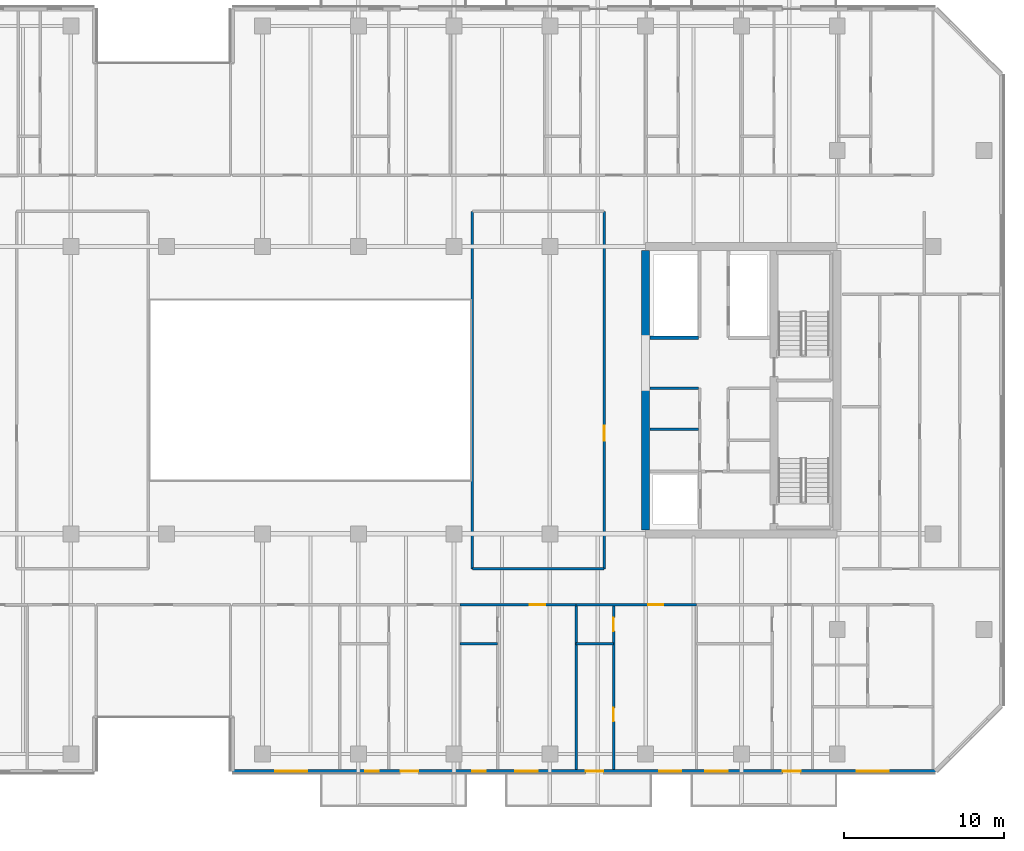
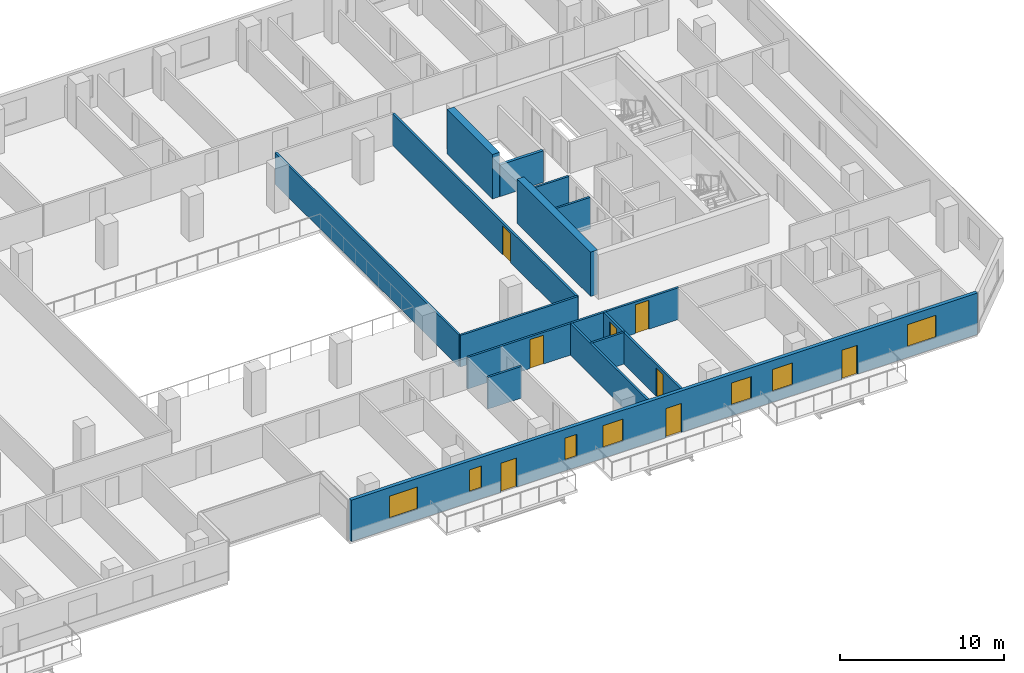
# One storey, part 12 of 23: 15 walls, 8 doors, 7 windows, 15 openings.
"""IFC4 building model written with IfcOpenShell, lengths in metres."""

from ifc_helpers import new_model, si_unit, direction, frame, frame_2d, origin, place, context, subcontext, project, spatial, rectangle, extrude, material, layer, layer_set, type_object, element, fill, save


model = new_model("IFC4")

# Units and contexts
model_context = context("Model", 3, precision=1e-05, world=origin(), true_north=direction((0.0, 1.0)))
body_context = subcontext(model_context, "Body", "Model", "MODEL_VIEW")
ifc_project = project(units=[si_unit("LENGTHUNIT", "METRE"), si_unit("AREAUNIT", "SQUARE_METRE"), si_unit("VOLUMEUNIT", "CUBIC_METRE"), si_unit("PLANEANGLEUNIT", "RADIAN"), si_unit("MASSUNIT", "GRAM", prefix="KILO")], contexts=[model_context])

# Site, building, storey
site_placement = place(None, origin())
site = spatial("IfcSite", under=ifc_project, at=site_placement, CompositionType="ELEMENT")
building_placement = place(site_placement, origin())
building = spatial("IfcBuilding", under=site, at=building_placement, Name="Tanjung Sevakor Pilgrim Tower", CompositionType="ELEMENT")
storey_placement = place(building_placement, frame((0.0, 0.0, 98.669921875)))
storey = spatial("IfcBuildingStorey", under=building, at=storey_placement, Name="L27", CompositionType="ELEMENT", Elevation=98.669921875)

# Walls
ifc_material_1 = material(Name="Concrete C60/75", Category="concrete")
ifc_layer_1 = layer(ifc_material_1, 0.5)
ifc_layer_set_1 = layer_set([ifc_layer_1], Name="WALL-CW-500")
wall_type_1 = type_object("IfcWallType", Name="WALL-CW-500", PredefinedType="SHEAR", material=ifc_layer_set_1)
wall_1_placement = place(storey_placement, frame((78.0, 24.85009765625, 0.0), z_axis=(0.0, 0.0, 1.0), x_axis=(0.0, 1.0, 0.0)))
element("IfcWall", 1, at=wall_1_placement, inside=storey, type_object=wall_type_1, Name="L27 E Core Inner Shear Wall South", PredefinedType="SHEAR", context=body_context, shape_type="SweptSolid", body=[
    extrude(rectangle(XDim=8.949951171875, YDim=0.5, at=frame_2d((4.47509765625, 0.0))), origin(), (0.0, 0.0, 1.0), 3.300048828125),
])
wall_2_placement = place(storey_placement, frame((78.0, 36.800048828125, 0.0), z_axis=(0.0, 0.0, 1.0), x_axis=(0.0, 1.0, 0.0)))
element("IfcWall", 2, at=wall_2_placement, inside=storey, type_object=wall_type_1, Name="L27 E Core Inner Shear Wall North", PredefinedType="SHEAR", context=body_context, shape_type="SweptSolid", body=[
    extrude(rectangle(XDim=5.550048828125, YDim=0.5, at=frame_2d((2.77490234375, 0.0))), origin(), (0.0, 0.0, 1.0), 3.300048828125),
])
ifc_material_2 = material(Name="Concrete C40/50", Category="concrete")
ifc_layer_2 = layer(ifc_material_2, 0.14990234375)
ifc_layer_set_2 = layer_set([ifc_layer_2], Name="WT-COMP-150")
wall_type_2 = type_object("IfcWallType", Name="WT-COMP-150", PredefinedType="SOLIDWALL", material=ifc_layer_set_2)
for number, where, z_axis, x_axis, name in (
    (3, (78.27001953125, 31.14990234375, 0.0), (0.0, 0.0, 1.0), (1.0, 0.0, 0.0), "L27 Partition IW-L27-018"),
    (4, (78.27001953125, 33.719970703125, 0.0), (0.0, 0.0, 1.0), (1.0, 0.0, 0.0), "L27 Partition IW-L27-019"),
):
    element("IfcWall", number, at=place(storey_placement, frame(where, z_axis=z_axis, x_axis=x_axis)), inside=storey, type_object=wall_type_2, Name=name, PredefinedType="SOLIDWALL", context=body_context, shape_type="SweptSolid", body=[
        extrude(rectangle(XDim=3.050048828125, YDim=0.14990234375, at=frame_2d((1.52490234375, 0.0))), origin(), (0.0, 0.0, 1.0), 2.35009765625),
    ])
wall_3_placement = place(storey_placement, frame((67.14990234375, 22.39990234375, 0.0), z_axis=(0.0, 0.0, 1.0), x_axis=(1.0, 0.0, 0.0)))
element("IfcWall", 5, at=wall_3_placement, inside=storey, type_object=wall_type_2, Name="L27 Partition IW-L27-029", PredefinedType="SOLIDWALL", context=body_context, shape_type="SweptSolid", body=[
    extrude(rectangle(XDim=8.25, YDim=0.14990234375, at=frame_2d((4.125, 0.0))), origin(), (0.0, 0.0, 1.0), 2.35009765625),
])
wall_4_placement = place(storey_placement, frame((67.14990234375, 22.39990234375, 0.0), z_axis=(0.0, 0.0, 1.0), x_axis=(0.0, 1.0, 0.0)))
element("IfcWall", 6, at=wall_4_placement, inside=storey, type_object=wall_type_2, Name="L27 Partition IW-L27-031", PredefinedType="SOLIDWALL", context=body_context, shape_type="SweptSolid", body=[
    extrude(rectangle(XDim=22.400146484375, YDim=0.14990234375, at=frame_2d((11.2001953125, 0.0))), origin(), (0.0, 0.0, 1.0), 2.35009765625),
])

# Wall, opening, door
wall_5_placement = place(storey_placement, frame((75.39990234375, 22.39990234375, 0.0), z_axis=(0.0, 0.0, 1.0), x_axis=(0.0, 1.0, 0.0)))
wall_5 = element("IfcWall", 7, at=wall_5_placement, inside=storey, type_object=wall_type_2, Name="L27 Partition IW-L27-032", PredefinedType="SOLIDWALL", context=body_context, shape_type="SweptSolid", body=[
    extrude(rectangle(XDim=22.400146484375, YDim=0.14990234375, at=frame_2d((11.2001953125, 0.0))), origin(), (0.0, 0.0, 1.0), 2.35009765625),
])
opening_1_placement = place(wall_5_placement, frame((8.02490234375, 0.0, 0.0)))
opening_1 = element("IfcOpeningElement", 8, at=opening_1_placement, cuts=wall_5, Name="Opening ID-RM1", PredefinedType="OPENING", context=body_context, shape_type="SweptSolid", body=[
    extrude(rectangle(XDim=0.949951171875, YDim=2.14990234375, at=frame_2d((0.47509765625, 1.074951171875))), frame((0.0, 0.0849609375, 0.0), z_axis=(0.0, -1.0, 0.0), x_axis=(1.0, 0.0, 0.0)), (0.0, 0.0, 1.0), 0.169921875),
])
ifc_material_3 = material(Name="Hardwood Timber", Category="wood")
door_type_1 = type_object("IfcDoorType", Name="DT-INT-950", OperationType="NOTDEFINED", PredefinedType="DOOR", material=ifc_material_3)
door_1_placement = place(opening_1_placement, origin())
door_1 = element("IfcDoor", 9, at=door_1_placement, inside=storey, type_object=door_type_1, Name="L27 Central East Room Door", OperationType="SINGLE_SWING_RIGHT", OverallHeight=2.14990234375, OverallWidth=0.949951171875, PredefinedType="DOOR", context=body_context, shape_type="SweptSolid", body=[
    extrude(rectangle(XDim=0.949951171875, YDim=2.14990234375, at=frame_2d((0.47509765625, 1.074951171875))), frame((0.0, 0.02490234375, 0.0), z_axis=(0.0, -1.0, 0.0), x_axis=(1.0, 0.0, 0.0)), (0.0, 0.0, 1.0), 0.050048828125),
])
fill(opening_1, door_1)

# Wall
wall_6_placement = place(storey_placement, frame((73.640869140625, 9.85009765625, 0.0), z_axis=(0.0, 0.0, 1.0), x_axis=(0.0, 1.0, 0.0)))
element("IfcWall", 10, at=wall_6_placement, inside=storey, type_object=wall_type_2, Name="L27 Partition IW-L27-064", PredefinedType="SOLIDWALL", context=body_context, shape_type="SweptSolid", body=[
    extrude(rectangle(XDim=10.2998046875, YDim=0.14990234375, at=frame_2d((5.14990234375, 0.0))), origin(), (0.0, 0.0, 1.0), 2.35009765625),
])

# Wall, opening, door
wall_7_placement = place(storey_placement, frame((66.3740234375, 20.14990234375, 0.0), z_axis=(0.0, 0.0, 1.0), x_axis=(1.0, 0.0, 0.0)))
wall_7 = element("IfcWall", 11, at=wall_7_placement, inside=storey, type_object=wall_type_2, Name="L27 Partition IW-L27-067", PredefinedType="SOLIDWALL", context=body_context, shape_type="SweptSolid", body=[
    extrude(rectangle(XDim=7.266845703125, YDim=0.14990234375, at=frame_2d((3.63330078125, 0.0))), origin(), (0.0, 0.0, 1.0), 2.35009765625),
])
opening_2_placement = place(wall_7_placement, frame((4.373291015625, 0.0, 0.0)))
opening_2 = element("IfcOpeningElement", 12, at=opening_2_placement, cuts=wall_7, Name="Opening ID-FD2", PredefinedType="OPENING", context=body_context, shape_type="SweptSolid", body=[
    extrude(rectangle(XDim=0.949951171875, YDim=2.14990234375, at=frame_2d((0.47509765625, 1.074951171875))), frame((0.0, 0.0849609375, 0.0), z_axis=(0.0, -1.0, 0.0), x_axis=(1.0, 0.0, 0.0)), (0.0, 0.0, 1.0), 0.169921875),
])
ifc_material_4 = material(Name="Fire-Rated Timber", Category="wood")
door_type_2 = type_object("IfcDoorType", Name="DT-FIRE-950", OperationType="NOTDEFINED", PredefinedType="DOOR", material=ifc_material_4)
door_2_placement = place(opening_2_placement, origin())
door_2 = element("IfcDoor", 13, at=door_2_placement, inside=storey, type_object=door_type_2, Name="Hostel Quad Entrance", OperationType="SINGLE_SWING_RIGHT", OverallHeight=2.14990234375, OverallWidth=0.949951171875, PredefinedType="DOOR", context=body_context, shape_type="SweptSolid", body=[
    extrude(rectangle(XDim=0.949951171875, YDim=2.14990234375, at=frame_2d((0.47509765625, 1.074951171875))), frame((0.0, 0.02490234375, 0.0), z_axis=(0.0, -1.0, 0.0), x_axis=(1.0, 0.0, 0.0)), (0.0, 0.0, 1.0), 0.050048828125),
])
fill(opening_2, door_2)

wall_8_placement = place(storey_placement, frame((73.640869140625, 20.14990234375, 0.0), z_axis=(0.0, 0.0, 1.0), x_axis=(1.0, 0.0, 0.0)))
wall_8 = element("IfcWall", 14, at=wall_8_placement, inside=storey, type_object=wall_type_2, Name="L27 Partition IW-L27-071", PredefinedType="SOLIDWALL", context=body_context, shape_type="SweptSolid", body=[
    extrude(rectangle(XDim=7.546142578125, YDim=0.14990234375, at=frame_2d((3.77294921875, 0.0))), origin(), (0.0, 0.0, 1.0), 2.35009765625),
])
opening_3_placement = place(wall_8_placement, frame((4.51318359375, 0.0, 0.0)))
opening_3 = element("IfcOpeningElement", 15, at=opening_3_placement, cuts=wall_8, Name="Opening ID-FD2", PredefinedType="OPENING", context=body_context, shape_type="SweptSolid", body=[
    extrude(rectangle(XDim=0.949951171875, YDim=2.14990234375, at=frame_2d((0.47509765625, 1.074951171875))), frame((0.0, 0.0849609375, 0.0), z_axis=(0.0, -1.0, 0.0), x_axis=(1.0, 0.0, 0.0)), (0.0, 0.0, 1.0), 0.169921875),
])
door_3_placement = place(opening_3_placement, origin())
door_3 = element("IfcDoor", 16, at=door_3_placement, inside=storey, type_object=door_type_2, Name="Hostel Quad Entrance", OperationType="SINGLE_SWING_LEFT", OverallHeight=2.14990234375, OverallWidth=0.949951171875, PredefinedType="DOOR", context=body_context, shape_type="SweptSolid", body=[
    extrude(rectangle(XDim=0.949951171875, YDim=2.14990234375, at=frame_2d((0.47509765625, 1.074951171875))), frame((0.0, 0.02490234375, 0.0), z_axis=(0.0, -1.0, 0.0), x_axis=(1.0, 0.0, 0.0)), (0.0, 0.0, 1.0), 0.050048828125),
])
fill(opening_3, door_3)

# Wall, openings, doors, windows
ifc_material_5 = material(Name="Precast concrete C45/55", Category="concrete")
ifc_layer_3 = layer(ifc_material_5, 0.25)
ifc_layer_set_3 = layer_set([ifc_layer_3], Name="WT-EW-STN3")
wall_type_3 = type_object("IfcWallType", Name="WT-EW-STN3", PredefinedType="SOLIDWALL", material=ifc_layer_set_3)
wall_9_placement = place(storey_placement, frame((52.125, 9.72509765625, 0.0), z_axis=(0.0, 0.0, 1.0), x_axis=(1.0, 0.0, 0.0)))
wall_9 = element("IfcWall", 17, at=wall_9_placement, inside=storey, type_object=wall_type_3, Name="L27 MAIN Exterior Wall 5", PredefinedType="SOLIDWALL", context=body_context, shape_type="SweptSolid", body=[
    extrude(rectangle(XDim=44.023193359375, YDim=0.25, at=frame_2d((22.01171875, 0.0))), origin(), (0.0, 0.0, 1.0), 3.080078125),
])
opening_4_placement = place(wall_9_placement, frame((10.52490234375, 0.0, 0.0)))
opening_4 = element("IfcOpeningElement", 18, at=opening_4_placement, cuts=wall_9, Name="Opening ED-BAL-1100", PredefinedType="OPENING", context=body_context, shape_type="SweptSolid", body=[
    extrude(rectangle(XDim=1.10009765625, YDim=2.14990234375, at=frame_2d((0.550048828125, 1.074951171875))), frame((0.0, 0.135009765625, 0.0), z_axis=(0.0, -1.0, 0.0), x_axis=(1.0, 0.0, 0.0)), (0.0, 0.0, 1.0), 0.27001953125),
])
opening_5_placement = place(wall_9_placement, frame((22.125, 0.0, 0.0)))
opening_5 = element("IfcOpeningElement", 19, at=opening_5_placement, cuts=wall_9, Name="Opening ED-BAL-1100", PredefinedType="OPENING", context=body_context, shape_type="SweptSolid", body=[
    extrude(rectangle(XDim=1.10009765625, YDim=2.14990234375, at=frame_2d((0.550048828125, 1.074951171875))), frame((0.0, 0.135009765625, 0.0), z_axis=(0.0, -1.0, 0.0), x_axis=(1.0, 0.0, 0.0)), (0.0, 0.0, 1.0), 0.27001953125),
])
opening_6_placement = place(wall_9_placement, frame((34.47509765625, 0.0, 0.0)))
opening_6 = element("IfcOpeningElement", 20, at=opening_6_placement, cuts=wall_9, Name="Opening ED-BAL-1100", PredefinedType="OPENING", context=body_context, shape_type="SweptSolid", body=[
    extrude(rectangle(XDim=1.10009765625, YDim=2.14990234375, at=frame_2d((0.550048828125, 1.074951171875))), frame((0.0, 0.135009765625, 0.0), z_axis=(0.0, -1.0, 0.0), x_axis=(1.0, 0.0, 0.0)), (0.0, 0.0, 1.0), 0.27001953125),
])
opening_7_placement = place(wall_9_placement, frame((2.6689453125, 0.0, 0.780029296875)))
opening_7 = element("IfcOpeningElement", 21, at=opening_7_placement, cuts=wall_9, Name="Opening WN-Z2-1660", PredefinedType="OPENING", context=body_context, shape_type="SweptSolid", body=[
    extrude(rectangle(XDim=2.0, YDim=1.659912109375, at=frame_2d((1.0, 0.830078125))), frame((0.0, 0.135009765625, 0.0), z_axis=(0.0, -1.0, 0.0), x_axis=(1.0, 0.0, 0.0)), (0.0, 0.0, 1.0), 0.27001953125),
])
opening_8_placement = place(wall_9_placement, frame((8.31396484375, 0.0, 0.780029296875)))
opening_8 = element("IfcOpeningElement", 22, at=opening_8_placement, cuts=wall_9, Name="Opening WN-SLM", PredefinedType="OPENING", context=body_context, shape_type="SweptSolid", body=[
    extrude(rectangle(XDim=0.85009765625, YDim=1.64990234375, at=frame_2d((0.425048828125, 0.824951171875))), frame((0.0, 0.135009765625, 0.0), z_axis=(0.0, -1.0, 0.0), x_axis=(1.0, 0.0, 0.0)), (0.0, 0.0, 1.0), 0.27001953125),
])
opening_9_placement = place(wall_9_placement, frame((15.009033203125, 0.0, 0.780029296875)))
opening_9 = element("IfcOpeningElement", 23, at=opening_9_placement, cuts=wall_9, Name="Opening WN-SLM", PredefinedType="OPENING", context=body_context, shape_type="SweptSolid", body=[
    extrude(rectangle(XDim=0.85009765625, YDim=1.64990234375, at=frame_2d((0.425048828125, 0.824951171875))), frame((0.0, 0.135009765625, 0.0), z_axis=(0.0, -1.0, 0.0), x_axis=(1.0, 0.0, 0.0)), (0.0, 0.0, 1.0), 0.27001953125),
])
opening_10_placement = place(wall_9_placement, frame((17.70751953125, 0.0, 0.780029296875)))
opening_10 = element("IfcOpeningElement", 24, at=opening_10_placement, cuts=wall_9, Name="Opening WN-END", PredefinedType="OPENING", context=body_context, shape_type="SweptSolid", body=[
    extrude(rectangle(XDim=1.39990234375, YDim=1.64990234375, at=frame_2d((0.699951171875, 0.824951171875))), frame((0.0, 0.135009765625, 0.0), z_axis=(0.0, -1.0, 0.0), x_axis=(1.0, 0.0, 0.0)), (0.0, 0.0, 1.0), 0.27001953125),
])
opening_11_placement = place(wall_9_placement, frame((26.7138671875, 0.0, 0.780029296875)))
opening_11 = element("IfcOpeningElement", 25, at=opening_11_placement, cuts=wall_9, Name="Opening WN-END", PredefinedType="OPENING", context=body_context, shape_type="SweptSolid", body=[
    extrude(rectangle(XDim=1.39990234375, YDim=1.64990234375, at=frame_2d((0.699951171875, 0.824951171875))), frame((0.0, 0.135009765625, 0.0), z_axis=(0.0, -1.0, 0.0), x_axis=(1.0, 0.0, 0.0)), (0.0, 0.0, 1.0), 0.27001953125),
])
opening_12_placement = place(wall_9_placement, frame((29.618408203125, 0.0, 0.780029296875)))
opening_12 = element("IfcOpeningElement", 26, at=opening_12_placement, cuts=wall_9, Name="Opening WN-END", PredefinedType="OPENING", context=body_context, shape_type="SweptSolid", body=[
    extrude(rectangle(XDim=1.39990234375, YDim=1.64990234375, at=frame_2d((0.699951171875, 0.824951171875))), frame((0.0, 0.135009765625, 0.0), z_axis=(0.0, -1.0, 0.0), x_axis=(1.0, 0.0, 0.0)), (0.0, 0.0, 1.0), 0.27001953125),
])
opening_13_placement = place(wall_9_placement, frame((39.101806640625, 0.0, 0.780029296875)))
opening_13 = element("IfcOpeningElement", 27, at=opening_13_placement, cuts=wall_9, Name="Opening WN-Z2-1660", PredefinedType="OPENING", context=body_context, shape_type="SweptSolid", body=[
    extrude(rectangle(XDim=2.0, YDim=1.659912109375, at=frame_2d((1.0, 0.830078125))), frame((0.0, 0.135009765625, 0.0), z_axis=(0.0, -1.0, 0.0), x_axis=(1.0, 0.0, 0.0)), (0.0, 0.0, 1.0), 0.27001953125),
])
ifc_material_6 = material(Name="Anodised Aluminium and Laminated Glass", Category="aluminium")
door_type_3 = type_object("IfcDoorType", Name="DTYP-ED-BAL-1100", OperationType="NOTDEFINED", PredefinedType="DOOR", material=ifc_material_6)
door_4_placement = place(opening_4_placement, frame((1.10009765625, 0.0, 0.0), z_axis=(0.0, 0.0, 1.0), x_axis=(-1.0, 0.0, 0.0)))
door_4 = element("IfcDoor", 28, at=door_4_placement, inside=storey, type_object=door_type_3, Name="L27 Balcony Door MAIN-S2", OperationType="SINGLE_SWING_LEFT", OverallHeight=2.14990234375, OverallWidth=1.10009765625, PredefinedType="DOOR", context=body_context, shape_type="SweptSolid", body=[
    extrude(rectangle(XDim=1.10009765625, YDim=2.14990234375, at=frame_2d((0.550048828125, 1.074951171875))), frame((0.0, 0.02490234375, 0.0), z_axis=(0.0, -1.0, 0.0), x_axis=(1.0, 0.0, 0.0)), (0.0, 0.0, 1.0), 0.050048828125),
])
fill(opening_4, door_4)
door_5_placement = place(opening_5_placement, frame((1.10009765625, 0.0, 0.0), z_axis=(0.0, 0.0, 1.0), x_axis=(-1.0, 0.0, 0.0)))
door_5 = element("IfcDoor", 29, at=door_5_placement, inside=storey, type_object=door_type_3, Name="L27 Balcony Door MAIN-S3", OperationType="SINGLE_SWING_RIGHT", OverallHeight=2.14990234375, OverallWidth=1.10009765625, PredefinedType="DOOR", context=body_context, shape_type="SweptSolid", body=[
    extrude(rectangle(XDim=1.10009765625, YDim=2.14990234375, at=frame_2d((0.550048828125, 1.074951171875))), frame((0.0, 0.02490234375, 0.0), z_axis=(0.0, -1.0, 0.0), x_axis=(1.0, 0.0, 0.0)), (0.0, 0.0, 1.0), 0.050048828125),
])
fill(opening_5, door_5)
door_6_placement = place(opening_6_placement, frame((1.10009765625, 0.0, 0.0), z_axis=(0.0, 0.0, 1.0), x_axis=(-1.0, 0.0, 0.0)))
door_6 = element("IfcDoor", 30, at=door_6_placement, inside=storey, type_object=door_type_3, Name="L27 Balcony Door MAIN-S4", OperationType="SINGLE_SWING_LEFT", OverallHeight=2.14990234375, OverallWidth=1.10009765625, PredefinedType="DOOR", context=body_context, shape_type="SweptSolid", body=[
    extrude(rectangle(XDim=1.10009765625, YDim=2.14990234375, at=frame_2d((0.550048828125, 1.074951171875))), frame((0.0, 0.02490234375, 0.0), z_axis=(0.0, -1.0, 0.0), x_axis=(1.0, 0.0, 0.0)), (0.0, 0.0, 1.0), 0.050048828125),
])
fill(opening_6, door_6)
ifc_material_7 = material(Name="Thermally Broken Aluminium and Low-E Glass", Category="aluminium")
window_type_1 = type_object("IfcWindowType", Name="WTYP-WN-END", PartitioningType="SINGLE_PANEL", PredefinedType="WINDOW", material=ifc_material_7)
window_1_placement = place(opening_10_placement, origin())
window_1 = element("IfcWindow", 31, at=window_1_placement, inside=storey, type_object=window_type_1, Name="L27 Facade Window 04", OverallHeight=1.64990234375, OverallWidth=1.39990234375, PartitioningType="SINGLE_PANEL", PredefinedType="WINDOW", context=body_context, shape_type="SweptSolid", body=[
    extrude(rectangle(XDim=1.39990234375, YDim=1.64990234375, at=frame_2d((0.699951171875, 0.824951171875))), frame((0.0, 0.030029296875, 0.0), z_axis=(0.0, -1.0, 0.0), x_axis=(1.0, 0.0, 0.0)), (0.0, 0.0, 1.0), 0.06005859375),
])
fill(opening_10, window_1)
window_2_placement = place(opening_11_placement, origin())
window_2 = element("IfcWindow", 32, at=window_2_placement, inside=storey, type_object=window_type_1, Name="L27 Facade Window 05", OverallHeight=1.64990234375, OverallWidth=1.39990234375, PartitioningType="SINGLE_PANEL", PredefinedType="WINDOW", context=body_context, shape_type="SweptSolid", body=[
    extrude(rectangle(XDim=1.39990234375, YDim=1.64990234375, at=frame_2d((0.699951171875, 0.824951171875))), frame((0.0, 0.030029296875, 0.0), z_axis=(0.0, -1.0, 0.0), x_axis=(1.0, 0.0, 0.0)), (0.0, 0.0, 1.0), 0.06005859375),
])
fill(opening_11, window_2)
window_3_placement = place(opening_12_placement, origin())
window_3 = element("IfcWindow", 33, at=window_3_placement, inside=storey, type_object=window_type_1, Name="L27 Facade Window 06", OverallHeight=1.64990234375, OverallWidth=1.39990234375, PartitioningType="SINGLE_PANEL", PredefinedType="WINDOW", context=body_context, shape_type="SweptSolid", body=[
    extrude(rectangle(XDim=1.39990234375, YDim=1.64990234375, at=frame_2d((0.699951171875, 0.824951171875))), frame((0.0, 0.030029296875, 0.0), z_axis=(0.0, -1.0, 0.0), x_axis=(1.0, 0.0, 0.0)), (0.0, 0.0, 1.0), 0.06005859375),
])
fill(opening_12, window_3)
ifc_material_8 = material(Name="Thermally Broken Aluminium and Low-E Glass", Category="aluminium")
window_type_2 = type_object("IfcWindowType", Name="WTYP-WN-SLM", PartitioningType="SINGLE_PANEL", PredefinedType="WINDOW", material=ifc_material_8)
window_4_placement = place(opening_8_placement, origin())
window_4 = element("IfcWindow", 34, at=window_4_placement, inside=storey, type_object=window_type_2, Name="L27 Facade Window 02", OverallHeight=1.64990234375, OverallWidth=0.85009765625, PartitioningType="SINGLE_PANEL", PredefinedType="WINDOW", context=body_context, shape_type="SweptSolid", body=[
    extrude(rectangle(XDim=0.85009765625, YDim=1.64990234375, at=frame_2d((0.425048828125, 0.824951171875))), frame((0.0, 0.030029296875, 0.0), z_axis=(0.0, -1.0, 0.0), x_axis=(1.0, 0.0, 0.0)), (0.0, 0.0, 1.0), 0.06005859375),
])
fill(opening_8, window_4)
window_5_placement = place(opening_9_placement, origin())
window_5 = element("IfcWindow", 35, at=window_5_placement, inside=storey, type_object=window_type_2, Name="L27 Facade Window 03", OverallHeight=1.64990234375, OverallWidth=0.85009765625, PartitioningType="SINGLE_PANEL", PredefinedType="WINDOW", context=body_context, shape_type="SweptSolid", body=[
    extrude(rectangle(XDim=0.85009765625, YDim=1.64990234375, at=frame_2d((0.425048828125, 0.824951171875))), frame((0.0, 0.030029296875, 0.0), z_axis=(0.0, -1.0, 0.0), x_axis=(1.0, 0.0, 0.0)), (0.0, 0.0, 1.0), 0.06005859375),
])
fill(opening_9, window_5)
ifc_material_9 = material(Name="Thermally Broken Aluminium and Low-E Glass", Category="aluminium")
window_type_3 = type_object("IfcWindowType", Name="WTYP-WN-Z2-1660", PartitioningType="DOUBLE_PANEL_VERTICAL", PredefinedType="WINDOW", material=ifc_material_9)
window_6_placement = place(opening_7_placement, origin())
window_6 = element("IfcWindow", 36, at=window_6_placement, inside=storey, type_object=window_type_3, Name="L27 Facade Window 01", OverallHeight=1.659912109375, OverallWidth=2.0, PartitioningType="SINGLE_PANEL", PredefinedType="WINDOW", context=body_context, shape_type="SweptSolid", body=[
    extrude(rectangle(XDim=2.0, YDim=1.659912109375, at=frame_2d((1.0, 0.830078125))), frame((0.0, 0.030029296875, 0.0), z_axis=(0.0, -1.0, 0.0), x_axis=(1.0, 0.0, 0.0)), (0.0, 0.0, 1.0), 0.06005859375),
])
fill(opening_7, window_6)
window_7_placement = place(opening_13_placement, origin())
window_7 = element("IfcWindow", 37, at=window_7_placement, inside=storey, type_object=window_type_3, Name="L27 Facade Window 07", OverallHeight=1.659912109375, OverallWidth=2.0, PartitioningType="SINGLE_PANEL", PredefinedType="WINDOW", context=body_context, shape_type="SweptSolid", body=[
    extrude(rectangle(XDim=2.0, YDim=1.659912109375, at=frame_2d((1.0, 0.830078125))), frame((0.0, 0.030029296875, 0.0), z_axis=(0.0, -1.0, 0.0), x_axis=(1.0, 0.0, 0.0)), (0.0, 0.0, 1.0), 0.06005859375),
])
fill(opening_13, window_7)

# Walls
ifc_material_10 = material(Name="Concrete C40/50", Category="concrete")
ifc_layer_4 = layer(ifc_material_10, 0.199951171875)
ifc_layer_set_4 = layer_set([ifc_layer_4], Name="WT-FPRT-200")
wall_type_4 = type_object("IfcWallType", Name="WT-FPRT-200", PredefinedType="SOLIDWALL", material=ifc_layer_set_4)
wall_10_placement = place(storey_placement, frame((78.27001953125, 36.8798828125, 0.0), z_axis=(0.0, 0.0, 1.0), x_axis=(1.0, 0.0, 0.0)))
element("IfcWall", 38, at=wall_10_placement, inside=storey, type_object=wall_type_4, Name="L27 Partition IW-L27-023", PredefinedType="SOLIDWALL", context=body_context, shape_type="SweptSolid", body=[
    extrude(rectangle(XDim=3.050048828125, YDim=0.199951171875, at=frame_2d((1.52490234375, 0.0))), origin(), (0.0, 0.0, 1.0), 2.35009765625),
])
ifc_material_11 = material(Name="Gypsum Board Partition", Category="gypsum board")
ifc_layer_5 = layer(ifc_material_11, 0.14990234375)
ifc_layer_set_5 = layer_set([ifc_layer_5], Name="WT-PART-150")
wall_type_5 = type_object("IfcWallType", Name="WT-PART-150", PredefinedType="PARTITIONING", material=ifc_layer_set_5)
wall_11_placement = place(storey_placement, frame((66.3740234375, 17.699951171875, 0.0), z_axis=(0.0, 0.0, 1.0), x_axis=(1.0, 0.0, 0.0)))
element("IfcWall", 39, at=wall_11_placement, inside=storey, type_object=wall_type_5, Name="L27 Partition IW-L27-065", PredefinedType="PARTITIONING", context=body_context, shape_type="SweptSolid", body=[
    extrude(rectangle(XDim=2.35009765625, YDim=0.14990234375, at=frame_2d((1.175048828125, 0.0))), origin(), (0.0, 0.0, 1.0), 2.35009765625),
])
wall_12_placement = place(storey_placement, frame((73.640869140625, 17.699951171875, 0.0), z_axis=(0.0, 0.0, 1.0), x_axis=(1.0, 0.0, 0.0)))
element("IfcWall", 40, at=wall_12_placement, inside=storey, type_object=wall_type_5, Name="L27 Partition IW-L27-069", PredefinedType="PARTITIONING", context=body_context, shape_type="SweptSolid", body=[
    extrude(rectangle(XDim=2.349853515625, YDim=0.14990234375, at=frame_2d((1.1748046875, 0.0))), origin(), (0.0, 0.0, 1.0), 2.35009765625),
])

# Wall, openings, doors
wall_13_placement = place(storey_placement, frame((75.99072265625, 9.85009765625, 0.0), z_axis=(0.0, 0.0, 1.0), x_axis=(0.0, 1.0, 0.0)))
wall_13 = element("IfcWall", 41, at=wall_13_placement, inside=storey, type_object=wall_type_5, Name="L27 Partition IW-L27-070", PredefinedType="PARTITIONING", context=body_context, shape_type="SweptSolid", body=[
    extrude(rectangle(XDim=10.2998046875, YDim=0.14990234375, at=frame_2d((5.14990234375, 0.0))), origin(), (0.0, 0.0, 1.0), 2.35009765625),
])
opening_14_placement = place(wall_13_placement, frame((3.0, 0.0, 0.0)))
opening_14 = element("IfcOpeningElement", 42, at=opening_14_placement, cuts=wall_13, Name="Opening ID-WC1", PredefinedType="OPENING", context=body_context, shape_type="SweptSolid", body=[
    extrude(rectangle(XDim=0.85009765625, YDim=2.10009765625, at=frame_2d((0.425048828125, 1.050048828125))), frame((0.0, 0.0849609375, 0.0), z_axis=(0.0, -1.0, 0.0), x_axis=(1.0, 0.0, 0.0)), (0.0, 0.0, 1.0), 0.169921875),
])
opening_15_placement = place(wall_13_placement, frame((8.64990234375, 0.0, 0.0)))
opening_15 = element("IfcOpeningElement", 43, at=opening_15_placement, cuts=wall_13, Name="Opening ID-WC1", PredefinedType="OPENING", context=body_context, shape_type="SweptSolid", body=[
    extrude(rectangle(XDim=0.85009765625, YDim=2.10009765625, at=frame_2d((0.425048828125, 1.050048828125))), frame((0.0, 0.0849609375, 0.0), z_axis=(0.0, -1.0, 0.0), x_axis=(1.0, 0.0, 0.0)), (0.0, 0.0, 1.0), 0.169921875),
])
ifc_material_12 = material(Name="Moisture-Resistant Timber", Category="wood")
door_type_4 = type_object("IfcDoorType", Name="DT-INT-850", OperationType="NOTDEFINED", PredefinedType="DOOR", material=ifc_material_12)
door_7_placement = place(opening_14_placement, origin())
door_7 = element("IfcDoor", 44, at=door_7_placement, inside=storey, type_object=door_type_4, Name="Study Nook Door", OperationType="SINGLE_SWING_LEFT", OverallHeight=2.10009765625, OverallWidth=0.85009765625, PredefinedType="DOOR", context=body_context, shape_type="SweptSolid", body=[
    extrude(rectangle(XDim=0.85009765625, YDim=2.10009765625, at=frame_2d((0.425048828125, 1.050048828125))), frame((0.0, 0.02490234375, 0.0), z_axis=(0.0, -1.0, 0.0), x_axis=(1.0, 0.0, 0.0)), (0.0, 0.0, 1.0), 0.050048828125),
])
fill(opening_14, door_7)
door_8_placement = place(opening_15_placement, origin())
door_8 = element("IfcDoor", 45, at=door_8_placement, inside=storey, type_object=door_type_4, Name="Bathroom Door", OperationType="SINGLE_SWING_RIGHT", OverallHeight=2.10009765625, OverallWidth=0.85009765625, PredefinedType="DOOR", context=body_context, shape_type="SweptSolid", body=[
    extrude(rectangle(XDim=0.85009765625, YDim=2.10009765625, at=frame_2d((0.425048828125, 1.050048828125))), frame((0.0, 0.02490234375, 0.0), z_axis=(0.0, -1.0, 0.0), x_axis=(1.0, 0.0, 0.0)), (0.0, 0.0, 1.0), 0.050048828125),
])
fill(opening_15, door_8)

save(model, "model.ifc")
